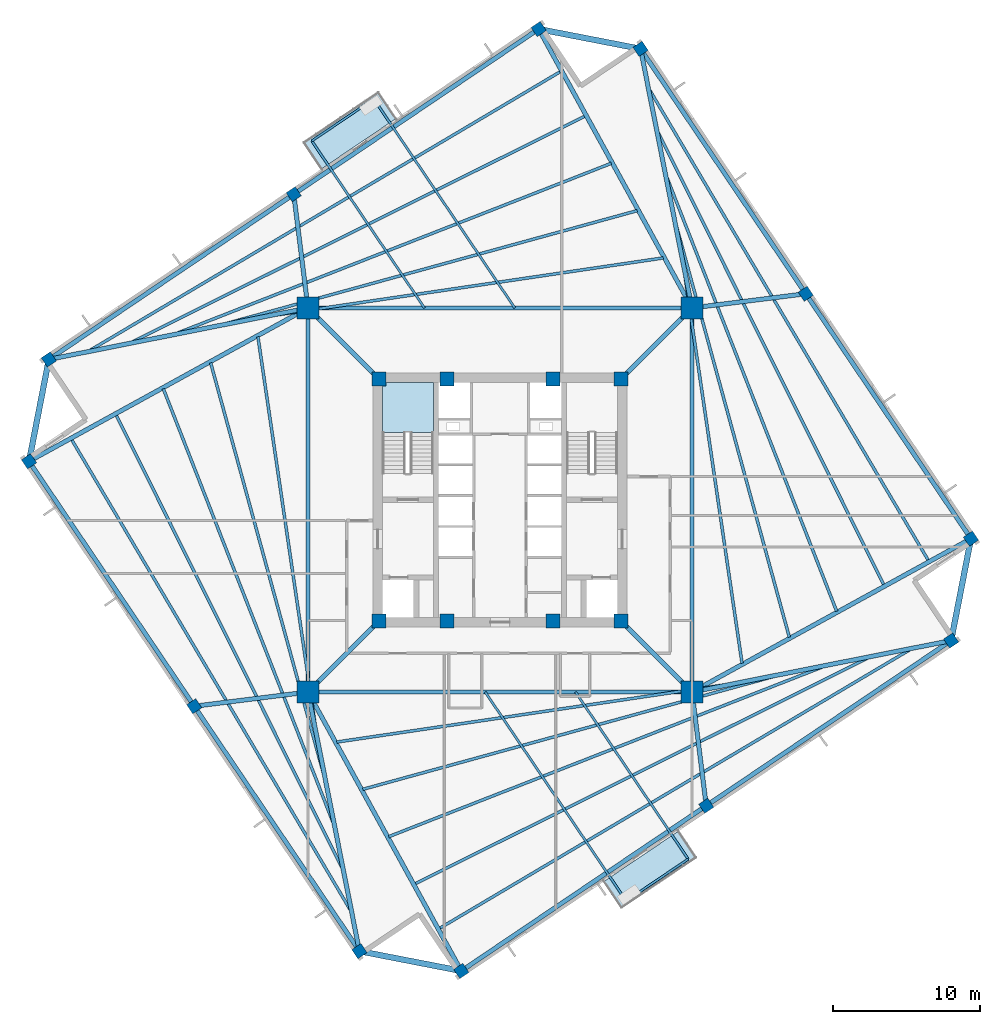
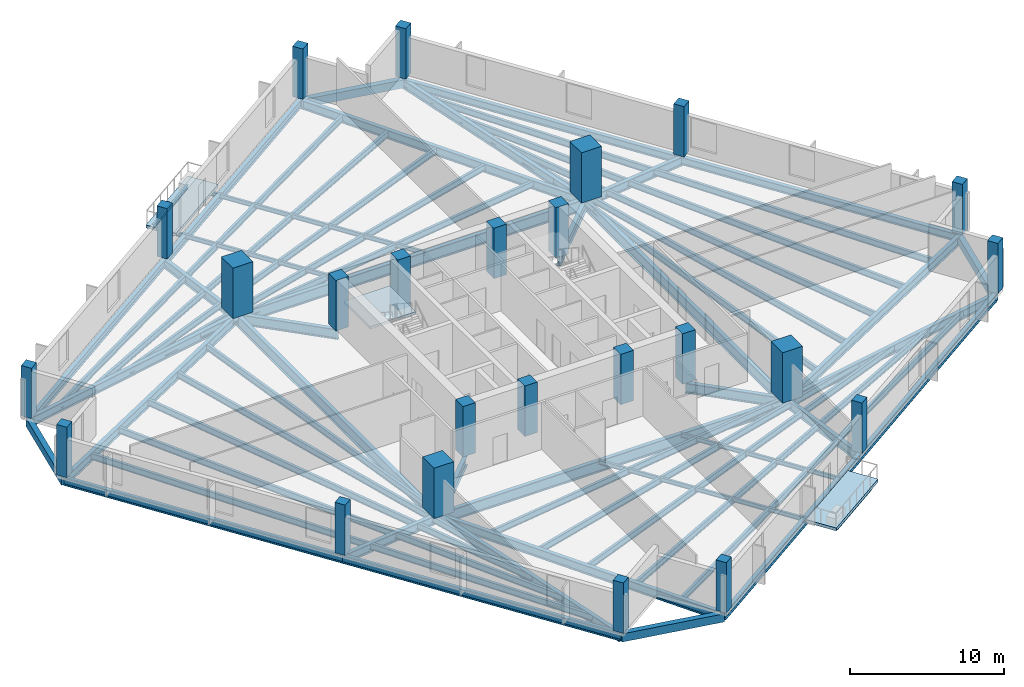
# One storey, part 1 of 8: 58 beams, 24 columns, 3 slabs, 1 element without a shape of its own.
"""IFC4 building model written with IfcOpenShell, lengths in metres."""

from ifc_helpers import new_model, si_unit, direction, frame, origin, origin_2d, place, context, subcontext, project, spatial, polyline, rectangle, i_section, outline, extrude, source, transform, mapped, material, layer, layer_set, material_profile, profile_set, type_object, element, aggregate, save


model = new_model("IFC4")

# Units and contexts
model_context = context("Model", 3, precision=1e-05, world=origin(), true_north=direction((0.0, 1.0)))
body_context = subcontext(model_context, "Body", "Model", "MODEL_VIEW")
ifc_project = project(units=[si_unit("LENGTHUNIT", "METRE"), si_unit("AREAUNIT", "SQUARE_METRE"), si_unit("VOLUMEUNIT", "CUBIC_METRE"), si_unit("PLANEANGLEUNIT", "RADIAN"), si_unit("MASSUNIT", "GRAM", prefix="KILO"), si_unit("THERMODYNAMICTEMPERATUREUNIT", "KELVIN")], contexts=[model_context])

# Site, building, storey
site_placement = place(None, origin())
site = spatial("IfcSite", under=ifc_project, at=site_placement, CompositionType="ELEMENT")
building_placement = place(site_placement, origin())
building = spatial("IfcBuilding", under=site, at=building_placement, Name="Kosmvard Interchange Tower", CompositionType="ELEMENT")
storey_placement = place(building_placement, frame((0.0, 0.0, 176.39990234375)))
storey = spatial("IfcBuildingStorey", under=building, at=storey_placement, Name="L42", CompositionType="ELEMENT", Elevation=176.39990234375)

# Columns
ifc_material_1 = material(Name="Concrete C60/75", Category="concrete")
ifc_material_profile_1 = material_profile(ifc_material_1, rectangle(XDim=0.949951171875, YDim=0.949951171875, at=origin_2d()), Name="CP 950x950")
ifc_profile_set_1 = profile_set([ifc_material_profile_1], Name="Concrete C60/75")
column_type_1 = type_object("IfcColumnType", Name="Core Boundary Pilaster 950x950 C60/75", PredefinedType="PILASTER", material=ifc_profile_set_1)
shared_shape_1 = source(origin(), body_context, "Body", "SweptSolid", [
    extrude(rectangle(XDim=0.949951171875, YDim=0.949951171875, at=origin_2d()), origin(), (0.0, 0.0, 1.0), 4.0),
])
for number, where, z_axis, x_axis, name in (
    (1, (-8.25, -8.25, 0.0), (0.0, 0.0, 1.0), (1.0, 0.0, 0.0), "L42 Core Pilaster CP1"),
    (2, (8.25, -8.25, 0.0), (0.0, 0.0, 1.0), (1.0, 0.0, 0.0), "L42 Core Pilaster CP2"),
    (3, (8.25, 8.25, 0.0), (0.0, 0.0, 1.0), (1.0, 0.0, 0.0), "L42 Core Pilaster CP3"),
    (4, (-8.25, 8.25, 0.0), (0.0, 0.0, 1.0), (1.0, 0.0, 0.0), "L42 Core Pilaster CP4"),
    (5, (-3.60009765625, -8.25, 0.0), (0.0, 0.0, 1.0), (1.0, 0.0, 0.0), "L42 Core Pilaster CP5"),
    (6, (3.60009765625, -8.25, 0.0), (0.0, 0.0, 1.0), (1.0, 0.0, 0.0), "L42 Core Pilaster CP6"),
    (7, (-3.60009765625, 8.25, 0.0), (0.0, 0.0, 1.0), (1.0, 0.0, 0.0), "L42 Core Pilaster CP7"),
    (8, (3.60009765625, 8.25, 0.0), (0.0, 0.0, 1.0), (1.0, 0.0, 0.0), "L42 Core Pilaster CP8"),
):
    element("IfcColumn", number, at=place(storey_placement, frame(where, z_axis=z_axis, x_axis=x_axis)), inside=storey, type_object=column_type_1, Name=name, PredefinedType="PILASTER", context=body_context, shape_type="MappedRepresentation", body=[
        mapped(shared_shape_1, transform((0.0, 0.0, 0.0), scale=1.0)),
    ])
ifc_material_profile_2 = material_profile(ifc_material_1, rectangle(XDim=1.5, YDim=1.5, at=origin_2d()), Name="MC 1500x1500")
ifc_profile_set_2 = profile_set([ifc_material_profile_2], Name="Concrete C60/75")
column_type_2 = type_object("IfcColumnType", Name="Composite Mega-Column 1500x1500 C60/75", PredefinedType="COLUMN", material=ifc_profile_set_2)
shared_shape_2 = source(origin(), body_context, "Body", "SweptSolid", [
    extrude(rectangle(XDim=1.5, YDim=1.5, at=origin_2d()), origin(), (0.0, 0.0, 1.0), 4.0),
])
for number, where, z_axis, x_axis, name in (
    (9, (-13.0810546875, -13.0810546875, 0.0), (0.0, 0.0, 1.0), (1.0, 0.0, 0.0), "L42 Corner Mega-Column MC1"),
    (10, (13.0810546875, -13.0810546875, 0.0), (0.0, 0.0, 1.0), (1.0, 0.0, 0.0), "L42 Corner Mega-Column MC2"),
    (11, (13.0810546875, 13.0810546875, 0.0), (0.0, 0.0, 1.0), (1.0, 0.0, 0.0), "L42 Corner Mega-Column MC3"),
    (12, (-13.0810546875, 13.0810546875, 0.0), (0.0, 0.0, 1.0), (1.0, 0.0, 0.0), "L42 Corner Mega-Column MC4"),
):
    element("IfcColumn", number, at=place(storey_placement, frame(where, z_axis=z_axis, x_axis=x_axis)), inside=storey, type_object=column_type_2, Name=name, PredefinedType="COLUMN", context=body_context, shape_type="MappedRepresentation", body=[
        mapped(shared_shape_2, transform((0.0, 0.0, 0.0), scale=1.0)),
    ])
ifc_material_2 = material(Name="Concrete C50/60", Category="concrete")
ifc_material_profile_3 = material_profile(ifc_material_2, rectangle(XDim=0.75, YDim=0.75, at=origin_2d()), Name="TC 750x750")
ifc_profile_set_3 = profile_set([ifc_material_profile_3], Name="Concrete C50/60")
column_type_3 = type_object("IfcColumnType", Name="Zone 3 Perimeter Pier Column 750x750 C50/60", PredefinedType="COLUMN", material=ifc_profile_set_3)
shared_shape_3 = source(origin(), body_context, "Body", "SweptSolid", [
    extrude(rectangle(XDim=0.75, YDim=0.75, at=origin_2d()), origin(), (0.0, 0.0, 1.0), 4.0),
])
for number, where, z_axis, x_axis, name in (
    (13, (-2.634765625, -32.083251953125, 0.0), (0.0, 0.0, 1.0), (0.829037572555, 0.559192903471, 0.0), "L42 Perimeter Pier Column TC-S1"),
    (14, (14.0498046875, -20.82958984375, 0.0), (0.0, 0.0, 1.0), (0.829037572555, 0.559192903471, 0.0), "L42 Perimeter Pier Column TC-S2"),
    (15, (30.734130859375, -9.575927734375, 0.0), (0.0, 0.0, 1.0), (0.829037572555, 0.559192903471, 0.0), "L42 Perimeter Pier Column TC-S3"),
    (16, (32.083251953125, -2.634765625, 0.0), (0.0, 0.0, 1.0), (0.829037572555, 0.559192903471, 0.0), "L42 Perimeter Pier Column TC-E1"),
    (17, (20.82958984375, 14.0498046875, 0.0), (0.0, 0.0, 1.0), (0.829037572555, 0.559192903471, 0.0), "L42 Perimeter Pier Column TC-E2"),
    (18, (9.575927734375, 30.734130859375, 0.0), (0.0, 0.0, 1.0), (0.829037572555, 0.559192903471, 0.0), "L42 Perimeter Pier Column TC-E3"),
    (19, (2.634765625, 32.083251953125, 0.0), (0.0, 0.0, 1.0), (0.829037572555, 0.559192903471, 0.0), "L42 Perimeter Pier Column TC-N1"),
    (20, (-14.0498046875, 20.82958984375, 0.0), (0.0, 0.0, 1.0), (0.829037572555, 0.559192903471, 0.0), "L42 Perimeter Pier Column TC-N2"),
    (21, (-30.734130859375, 9.575927734375, 0.0), (0.0, 0.0, 1.0), (0.829037572555, 0.559192903471, 0.0), "L42 Perimeter Pier Column TC-N3"),
    (22, (-32.083251953125, 2.634765625, 0.0), (0.0, 0.0, 1.0), (0.829037572555, 0.559192903471, 0.0), "L42 Perimeter Pier Column TC-W1"),
    (23, (-20.82958984375, -14.0498046875, 0.0), (0.0, 0.0, 1.0), (0.829037572555, 0.559192903471, 0.0), "L42 Perimeter Pier Column TC-W2"),
    (24, (-9.575927734375, -30.734130859375, 0.0), (0.0, 0.0, 1.0), (0.829037572555, 0.559192903471, 0.0), "L42 Perimeter Pier Column TC-W3"),
):
    element("IfcColumn", number, at=place(storey_placement, frame(where, z_axis=z_axis, x_axis=x_axis)), inside=storey, type_object=column_type_3, Name=name, PredefinedType="COLUMN", context=body_context, shape_type="MappedRepresentation", body=[
        mapped(shared_shape_3, transform((0.0, 0.0, 0.0), scale=1.0)),
    ])

# Beams
ifc_material_3 = material(Name="Steel S355", Category="steel")
ifc_material_profile_4 = material_profile(ifc_material_3, i_section(OverallWidth=0.14990234375, OverallDepth=0.300048828125, WebThickness=0.007080078125, FlangeThickness=0.0107421875, FilletRadius=0.014892578125, at=origin_2d()), Name="IPE 300")
ifc_profile_set_4 = profile_set([ifc_material_profile_4], Name="Steel S355")
beam_type_1 = type_object("IfcBeamType", Name="Balcony Edge Header Joist IPE 300 S355", PredefinedType="JOIST", material=ifc_profile_set_4)
shared_shape_4 = source(origin(), body_context, "Body", "SweptSolid", [
    extrude(i_section(OverallWidth=0.14990234375, OverallDepth=0.300048828125, WebThickness=0.007080078125, FlangeThickness=0.0107421875, FilletRadius=0.014892578125, at=origin_2d()), origin(), (0.0, 0.0, 1.0), 5.099853515625),
])
for number, where, z_axis, x_axis, name in (
    (25, (-8.59326171875, 27.314453125, -0.409912109375), (-0.82904064614, -0.559188346666, 0.0), (0.559188346666, -0.82904064614, 0.0), "BM-L42-BJH1"),
    (26, (8.59326171875, -27.314453125, -0.409912109375), (0.82904064614, 0.559188346666, 0.0), (-0.559188346666, 0.82904064614, 0.0), "BM-L42-BJH2"),
):
    element("IfcBeam", number, at=place(storey_placement, frame(where, z_axis=z_axis, x_axis=x_axis)), inside=storey, type_object=beam_type_1, Name=name, PredefinedType="JOIST", context=body_context, shape_type="MappedRepresentation", body=[
        mapped(shared_shape_4, transform((0.0, 0.0, 0.0), scale=1.0)),
    ])
ifc_material_profile_5 = material_profile(ifc_material_3, i_section(OverallWidth=0.300048828125, OverallDepth=0.800048828125, WebThickness=0.017578125, FlangeThickness=0.032958984375, FilletRadius=0.027099609375, at=origin_2d()), Name="HEB 800")
ifc_profile_set_5 = profile_set([ifc_material_profile_5], Name="Steel S355")
beam_type_2 = type_object("IfcBeamType", Name="Primary Mega-Frame Girder HEB 800 S355", PredefinedType="BEAM", material=ifc_profile_set_5)
shared_shape_5 = source(origin(), body_context, "Body", "SweptSolid", [
    extrude(i_section(OverallWidth=0.300048828125, OverallDepth=0.800048828125, WebThickness=0.017578125, FlangeThickness=0.032958984375, FilletRadius=0.027099609375, at=origin_2d()), origin(), (0.0, 0.0, 1.0), 6.83203125),
])
for number, where, z_axis, x_axis, name in (
    (27, (-8.25, -8.25, -0.659912109375), (-0.707106781187, -0.707106781187, 0.0), (0.707106781187, -0.707106781187, 0.0), "L42 Radial Mega-Frame Girder 1"),
    (28, (8.25, -8.25, -0.659912109375), (0.707106781187, -0.707106781187, 0.0), (0.707106781187, 0.707106781187, 0.0), "L42 Radial Mega-Frame Girder 2"),
    (29, (8.25, 8.25, -0.659912109375), (0.707106781187, 0.707106781187, 0.0), (-0.707106781187, 0.707106781187, 0.0), "L42 Radial Mega-Frame Girder 3"),
    (30, (-8.25, 8.25, -0.659912109375), (-0.707106781187, 0.707106781187, 0.0), (-0.707106781187, -0.707106781187, 0.0), "L42 Radial Mega-Frame Girder 4"),
):
    element("IfcBeam", number, at=place(storey_placement, frame(where, z_axis=z_axis, x_axis=x_axis)), inside=storey, type_object=beam_type_2, Name=name, PredefinedType="BEAM", context=body_context, shape_type="MappedRepresentation", body=[
        mapped(shared_shape_5, transform((0.0, 0.0, 0.0), scale=1.0)),
    ])
ifc_material_profile_6 = material_profile(ifc_material_3, i_section(OverallWidth=0.300048828125, OverallDepth=0.89990234375, WebThickness=0.0185546875, FlangeThickness=0.034912109375, FilletRadius=0.030029296875, at=origin_2d()), Name="HEB 900")
ifc_profile_set_6 = profile_set([ifc_material_profile_6], Name="Steel S355")
beam_type_3 = type_object("IfcBeamType", Name="Mega-Column Ring Girder HEB 900 S355", PredefinedType="BEAM", material=ifc_profile_set_6)
shared_shape_6 = source(origin(), body_context, "Body", "SweptSolid", [
    extrude(i_section(OverallWidth=0.300048828125, OverallDepth=0.89990234375, WebThickness=0.0185546875, FlangeThickness=0.034912109375, FilletRadius=0.030029296875, at=origin_2d()), origin(), (0.0, 0.0, 1.0), 26.162109375),
])
for number, where, z_axis, x_axis, name in (
    (31, (-13.0810546875, -13.0810546875, -0.7099609375), (1.0, 0.0, 0.0), (0.0, 1.0, 0.0), "L42 Mega-Column Ring Girder 1"),
    (32, (13.0810546875, -13.0810546875, -0.7099609375), (0.0, 1.0, 0.0), (-1.0, 0.0, 0.0), "L42 Mega-Column Ring Girder 2"),
    (33, (13.0810546875, 13.0810546875, -0.7099609375), (-1.0, 0.0, 0.0), (0.0, -1.0, 0.0), "L42 Mega-Column Ring Girder 3"),
    (34, (-13.0810546875, 13.0810546875, -0.7099609375), (0.0, -1.0, 0.0), (1.0, 0.0, 0.0), "L42 Mega-Column Ring Girder 4"),
):
    element("IfcBeam", number, at=place(storey_placement, frame(where, z_axis=z_axis, x_axis=x_axis)), inside=storey, type_object=beam_type_3, Name=name, PredefinedType="BEAM", context=body_context, shape_type="MappedRepresentation", body=[
        mapped(shared_shape_6, transform((0.0, 0.0, 0.0), scale=1.0)),
    ])
ifc_material_profile_7 = material_profile(ifc_material_3, i_section(OverallWidth=0.300048828125, OverallDepth=0.60009765625, WebThickness=0.015380859375, FlangeThickness=0.030029296875, FilletRadius=0.027099609375, at=origin_2d()), Name="HEB 600")
ifc_profile_set_7 = profile_set([ifc_material_profile_7], Name="Steel S355")
beam_type_4 = type_object("IfcBeamType", Name="Perimeter Tie Girder HEB 600 S355", PredefinedType="BEAM", material=ifc_profile_set_7)
shared_shape_7 = source(origin(), body_context, "Body", "SweptSolid", [
    extrude(i_section(OverallWidth=0.300048828125, OverallDepth=0.60009765625, WebThickness=0.015380859375, FlangeThickness=0.030029296875, FilletRadius=0.027099609375, at=origin_2d()), origin(), (0.0, 0.0, 1.0), 20.125),
])
for number, where, z_axis, x_axis, name in (
    (35, (-2.634765625, -32.083251953125, -0.559814453125), (0.82904270175, 0.559185299051, 0.0), (-0.559185299051, 0.82904270175, 0.0), "BM-L42-PR01"),
    (36, (14.0498046875, -20.82958984375, -0.559814453125), (0.829038908426, 0.559190922956, 0.0), (-0.559190922956, 0.829038908426, 0.0), "BM-L42-PR02"),
    (37, (32.083251953125, -2.634765625, -0.559814453125), (-0.559185299051, 0.82904270175, 0.0), (-0.82904270175, -0.559185299051, 0.0), "BM-L42-PR04"),
    (38, (20.82958984375, 14.0498046875, -0.559814453125), (-0.559190922956, 0.829038908426, 0.0), (-0.829038908426, -0.559190922956, 0.0), "BM-L42-PR05"),
    (39, (2.634765625, 32.083251953125, -0.559814453125), (-0.82904270175, -0.559185299051, 0.0), (0.559185299051, -0.82904270175, 0.0), "BM-L42-PR07"),
    (40, (-14.0498046875, 20.82958984375, -0.559814453125), (-0.829038908426, -0.559190922956, 0.0), (0.559190922956, -0.829038908426, 0.0), "BM-L42-PR08"),
    (41, (-32.083251953125, 2.634765625, -0.559814453125), (0.559185299051, -0.82904270175, 0.0), (0.82904270175, 0.559185299051, 0.0), "BM-L42-PR10"),
    (42, (-20.82958984375, -14.0498046875, -0.559814453125), (0.559190922956, -0.829038908426, 0.0), (0.829038908426, 0.559190922956, 0.0), "BM-L42-PR11"),
):
    element("IfcBeam", number, at=place(storey_placement, frame(where, z_axis=z_axis, x_axis=x_axis)), inside=storey, type_object=beam_type_4, Name=name, PredefinedType="BEAM", context=body_context, shape_type="MappedRepresentation", body=[
        mapped(shared_shape_7, transform((0.0, 0.0, 0.0), scale=1.0)),
    ])
ifc_material_profile_8 = material_profile(ifc_material_3, i_section(OverallWidth=0.300048828125, OverallDepth=0.699951171875, WebThickness=0.01708984375, FlangeThickness=0.031982421875, FilletRadius=0.027099609375, at=origin_2d()), Name="HEB 700")
ifc_profile_set_8 = profile_set([ifc_material_profile_8], Name="Steel S355")
beam_type_5 = type_object("IfcBeamType", Name="Primary Floor Girder HEB 700 S355", PredefinedType="BEAM", material=ifc_profile_set_8)
shared_shape_8 = source(origin(), body_context, "Body", "SweptSolid", [
    extrude(i_section(OverallWidth=0.300048828125, OverallDepth=0.699951171875, WebThickness=0.01708984375, FlangeThickness=0.031982421875, FilletRadius=0.027099609375, at=origin_2d()), origin(), (0.0, 0.0, 1.0), 21.684326171875),
])
for number, where, z_axis, x_axis, name in (
    (43, (-13.0810546875, -13.0810546875, -0.60986328125), (0.48174456271, -0.876311689012, 0.0), (0.876311689012, 0.48174456271, 0.0), "BM-L42-RD01"),
    (44, (13.0810546875, -13.0810546875, -0.60986328125), (0.876311689012, 0.48174456271, 0.0), (-0.48174456271, 0.876311689012, 0.0), "BM-L42-RD04"),
    (45, (13.0810546875, 13.0810546875, -0.60986328125), (-0.48174456271, 0.876311689012, 0.0), (-0.876311689012, -0.48174456271, 0.0), "BM-L42-RD07"),
    (46, (-13.0810546875, 13.0810546875, -0.60986328125), (-0.876311689012, -0.48174456271, 0.0), (0.48174456271, -0.876311689012, 0.0), "BM-L42-RD10"),
):
    element("IfcBeam", number, at=place(storey_placement, frame(where, z_axis=z_axis, x_axis=x_axis)), inside=storey, type_object=beam_type_5, Name=name, PredefinedType="BEAM", context=body_context, shape_type="MappedRepresentation", body=[
        mapped(shared_shape_8, transform((0.0, 0.0, 0.0), scale=1.0)),
    ])
shared_shape_9 = source(origin(), body_context, "Body", "SweptSolid", [
    extrude(i_section(OverallWidth=0.300048828125, OverallDepth=0.699951171875, WebThickness=0.01708984375, FlangeThickness=0.031982421875, FilletRadius=0.027099609375, at=origin_2d()), origin(), (0.0, 0.0, 1.0), 7.808837890625),
])
for number, where, z_axis, x_axis, name in (
    (47, (13.0810546875, -13.0810546875, -0.60986328125), (0.12405782224, -0.992274990485, 0.0), (0.992274990485, 0.12405782224, 0.0), "BM-L42-RD02"),
    (48, (13.0810546875, 13.0810546875, -0.60986328125), (0.992274990485, 0.12405782224, 0.0), (-0.12405782224, 0.992274990485, 0.0), "BM-L42-RD05"),
    (49, (-13.0810546875, 13.0810546875, -0.60986328125), (-0.12405782224, 0.992274990485, 0.0), (-0.992274990485, -0.12405782224, 0.0), "BM-L42-RD08"),
    (50, (-13.0810546875, -13.0810546875, -0.60986328125), (-0.992274990485, -0.12405782224, 0.0), (0.12405782224, -0.992274990485, 0.0), "BM-L42-RD11"),
):
    element("IfcBeam", number, at=place(storey_placement, frame(where, z_axis=z_axis, x_axis=x_axis)), inside=storey, type_object=beam_type_5, Name=name, PredefinedType="BEAM", context=body_context, shape_type="MappedRepresentation", body=[
        mapped(shared_shape_9, transform((0.0, 0.0, 0.0), scale=1.0)),
    ])
ifc_material_4 = material(Name="Precast concrete C45/55", Category="concrete")
ifc_material_profile_9 = material_profile(ifc_material_4, rectangle(XDim=0.39990234375, YDim=0.64990234375, at=origin_2d()), Name="SL 400x650")
ifc_profile_set_9 = profile_set([ifc_material_profile_9], Name="Precast concrete C45/55")
beam_type_6 = type_object("IfcBeamType", Name="Precast Spandrel Lintel 400x650 C45/55", PredefinedType="LINTEL", material=ifc_profile_set_9)
shared_shape_10 = source(origin(), body_context, "Body", "SweptSolid", [
    extrude(rectangle(XDim=0.39990234375, YDim=0.64990234375, at=origin_2d()), origin(), (0.0, 0.0, 1.0), 7.071044921875),
])
for number, where, z_axis, x_axis, name in (
    (51, (30.734130859375, -9.575927734375, -0.5849609375), (0.190794803533, 0.981629941956, 0.0), (-0.981629941956, 0.190794803533, 0.0), "BM-L42-SL1"),
    (52, (9.575927734375, 30.734130859375, -0.5849609375), (-0.981629941956, 0.190794803533, 0.0), (-0.190794803533, -0.981629941956, 0.0), "BM-L42-SL2"),
    (53, (-30.734130859375, 9.575927734375, -0.5849609375), (-0.190794803533, -0.981629941956, 0.0), (0.981629941956, -0.190794803533, 0.0), "BM-L42-SL3"),
    (54, (-9.575927734375, -30.734130859375, -0.5849609375), (0.981629941956, -0.190794803533, 0.0), (0.190794803533, 0.981629941956, 0.0), "BM-L42-SL4"),
):
    element("IfcBeam", number, at=place(storey_placement, frame(where, z_axis=z_axis, x_axis=x_axis)), inside=storey, type_object=beam_type_6, Name=name, PredefinedType="LINTEL", context=body_context, shape_type="MappedRepresentation", body=[
        mapped(shared_shape_10, transform((0.0, 0.0, 0.0), scale=1.0)),
    ])
shared_shape_11 = source(origin(), body_context, "Body", "SweptSolid", [
    extrude(i_section(OverallWidth=0.300048828125, OverallDepth=0.699951171875, WebThickness=0.01708984375, FlangeThickness=0.031982421875, FilletRadius=0.027099609375, at=origin_2d()), origin(), (0.0, 0.0, 1.0), 17.997802734375),
])
for number, where, z_axis, x_axis, name in (
    (55, (13.0810546875, -13.0810546875, -0.60986328125), (0.980852075755, 0.194754218148, 0.0), (-0.194754218148, 0.980852075755, 0.0), "BM-L42-RD03"),
    (56, (13.0810546875, 13.0810546875, -0.60986328125), (-0.194754218148, 0.980852075755, 0.0), (-0.980852075755, -0.194754218148, 0.0), "BM-L42-RD06"),
    (57, (-13.0810546875, 13.0810546875, -0.60986328125), (-0.980852075755, -0.194754218148, 0.0), (0.194754218148, -0.980852075755, 0.0), "BM-L42-RD09"),
    (58, (-13.0810546875, -13.0810546875, -0.60986328125), (0.194754218148, -0.980852075755, 0.0), (0.980852075755, 0.194754218148, 0.0), "BM-L42-RD12"),
):
    element("IfcBeam", number, at=place(storey_placement, frame(where, z_axis=z_axis, x_axis=x_axis)), inside=storey, type_object=beam_type_5, Name=name, PredefinedType="BEAM", context=body_context, shape_type="MappedRepresentation", body=[
        mapped(shared_shape_11, transform((0.0, 0.0, 0.0), scale=1.0)),
    ])
ifc_material_profile_10 = material_profile(ifc_material_3, i_section(OverallWidth=0.199951171875, OverallDepth=0.5, WebThickness=0.01025390625, FlangeThickness=0.01611328125, FilletRadius=0.02099609375, at=origin_2d()), Name="IPE 500")
ifc_profile_set_10 = profile_set([ifc_material_profile_10], Name="Steel S355")
beam_type_7 = type_object("IfcBeamType", Name="Standard Floor Joist IPE 500 S355", PredefinedType="JOIST", material=ifc_profile_set_10)
shared_shape_12 = source(origin(), body_context, "Body", "SweptSolid", [
    extrude(i_section(OverallWidth=0.199951171875, OverallDepth=0.5, WebThickness=0.01025390625, FlangeThickness=0.01611328125, FilletRadius=0.02099609375, at=origin_2d()), origin(), (0.0, 0.0, 1.0), 27.5966796875),
])
for number, where, z_axis, x_axis, name in (
    (59, (-11.12158203125, -16.48974609375, -0.510009765625), (0.989290070387, 0.145962860463, 0.0), (-0.145962860463, 0.989290070387, 0.0), "BM-L42-FJ01"),
    (60, (16.48974609375, -11.12158203125, -0.510009765625), (-0.145962860463, 0.989290070387, 0.0), (-0.989290070387, -0.145962860463, 0.0), "BM-L42-FJ06"),
    (61, (11.12158203125, 16.48974609375, -0.510009765625), (-0.989290070387, -0.145962860463, 0.0), (0.145962860463, -0.989290070387, 0.0), "BM-L42-FJ11"),
    (62, (-16.48974609375, 11.12158203125, -0.510009765625), (0.145962860463, -0.989290070387, 0.0), (0.989290070387, 0.145962860463, 0.0), "BM-L42-FJ16"),
):
    element("IfcBeam", number, at=place(storey_placement, frame(where, z_axis=z_axis, x_axis=x_axis)), inside=storey, type_object=beam_type_7, Name=name, PredefinedType="JOIST", context=body_context, shape_type="MappedRepresentation", body=[
        mapped(shared_shape_12, transform((0.0, 0.0, 0.0), scale=1.0)),
    ])
shared_shape_13 = source(origin(), body_context, "Body", "SweptSolid", [
    extrude(i_section(OverallWidth=0.199951171875, OverallDepth=0.5, WebThickness=0.01025390625, FlangeThickness=0.01611328125, FilletRadius=0.02099609375, at=origin_2d()), origin(), (0.0, 0.0, 1.0), 29.58642578125),
])
for number, where, z_axis, x_axis, name in (
    (63, (-9.34765625, -19.710693359375, -0.510009765625), (0.964296527467, 0.264824861209, 0.0), (-0.264824861209, 0.964296527467, 0.0), "BM-L42-FJ02"),
    (64, (19.710693359375, -9.34765625, -0.510009765625), (-0.264824861209, 0.964296527467, 0.0), (-0.964296527467, -0.264824861209, 0.0), "BM-L42-FJ07"),
    (65, (9.34765625, 19.710693359375, -0.510009765625), (-0.964296527467, -0.264824861209, 0.0), (0.264824861209, -0.964296527467, 0.0), "BM-L42-FJ12"),
    (66, (-19.710693359375, 9.34765625, -0.510009765625), (0.264824861209, -0.964296527467, 0.0), (0.964296527467, 0.264824861209, 0.0), "BM-L42-FJ17"),
):
    element("IfcBeam", number, at=place(storey_placement, frame(where, z_axis=z_axis, x_axis=x_axis)), inside=storey, type_object=beam_type_7, Name=name, PredefinedType="JOIST", context=body_context, shape_type="MappedRepresentation", body=[
        mapped(shared_shape_13, transform((0.0, 0.0, 0.0), scale=1.0)),
    ])
shared_shape_14 = source(origin(), body_context, "Body", "SweptSolid", [
    extrude(i_section(OverallWidth=0.199951171875, OverallDepth=0.5, WebThickness=0.01025390625, FlangeThickness=0.01611328125, FilletRadius=0.02099609375, at=origin_2d()), origin(), (0.0, 0.0, 1.0), 31.9580078125),
])
for number, where, z_axis, x_axis, name in (
    (67, (-7.574462890625, -22.93310546875, -0.510009765625), (0.931239172846, 0.364408565976, 0.0), (-0.364408565976, 0.931239172846, 0.0), "BM-L42-FJ03"),
    (68, (22.93310546875, -7.574462890625, -0.510009765625), (-0.364408565976, 0.931239172846, 0.0), (-0.931239172846, -0.364408565976, 0.0), "BM-L42-FJ08"),
    (69, (7.574462890625, 22.93310546875, -0.510009765625), (-0.931239172846, -0.364408565976, 0.0), (0.364408565976, -0.931239172846, 0.0), "BM-L42-FJ13"),
    (70, (-22.93310546875, 7.574462890625, -0.510009765625), (0.364408565976, -0.931239172846, 0.0), (0.931239172846, 0.364408565976, 0.0), "BM-L42-FJ18"),
):
    element("IfcBeam", number, at=place(storey_placement, frame(where, z_axis=z_axis, x_axis=x_axis)), inside=storey, type_object=beam_type_7, Name=name, PredefinedType="JOIST", context=body_context, shape_type="MappedRepresentation", body=[
        mapped(shared_shape_14, transform((0.0, 0.0, 0.0), scale=1.0)),
    ])
shared_shape_15 = source(origin(), body_context, "Body", "SweptSolid", [
    extrude(i_section(OverallWidth=0.199951171875, OverallDepth=0.5, WebThickness=0.01025390625, FlangeThickness=0.01611328125, FilletRadius=0.02099609375, at=origin_2d()), origin(), (0.0, 0.0, 1.0), 34.633056640625),
])
for number, where, z_axis, x_axis, name in (
    (71, (-5.801513671875, -26.156982421875, -0.510009765625), (0.894853974707, 0.446359007921, 0.0), (-0.446359007921, 0.894853974707, 0.0), "BM-L42-FJ04"),
    (72, (26.156982421875, -5.801513671875, -0.510009765625), (-0.446359007921, 0.894853974707, 0.0), (-0.894853974707, -0.446359007921, 0.0), "BM-L42-FJ09"),
    (73, (5.801513671875, 26.156982421875, -0.510009765625), (-0.894853974707, -0.446359007921, 0.0), (0.446359007921, -0.894853974707, 0.0), "BM-L42-FJ14"),
    (74, (-26.156982421875, 5.801513671875, -0.510009765625), (0.446359007921, -0.894853974707, 0.0), (0.894853974707, 0.446359007921, 0.0), "BM-L42-FJ19"),
):
    element("IfcBeam", number, at=place(storey_placement, frame(where, z_axis=z_axis, x_axis=x_axis)), inside=storey, type_object=beam_type_7, Name=name, PredefinedType="JOIST", context=body_context, shape_type="MappedRepresentation", body=[
        mapped(shared_shape_15, transform((0.0, 0.0, 0.0), scale=1.0)),
    ])
shared_shape_16 = source(origin(), body_context, "Body", "SweptSolid", [
    extrude(i_section(OverallWidth=0.199951171875, OverallDepth=0.5, WebThickness=0.01025390625, FlangeThickness=0.01611328125, FilletRadius=0.02099609375, at=origin_2d()), origin(), (0.0, 0.0, 1.0), 37.3701171875),
])
for number, where, z_axis, x_axis, name in (
    (75, (-4.1328125, -29.192138671875, -0.510009765625), (0.860316577026, 0.509760127212, 0.0), (-0.509760127212, 0.860316577026, 0.0), "BM-L42-FJ05"),
    (76, (29.192138671875, -4.1328125, -0.510009765625), (-0.509760127212, 0.860316577026, 0.0), (-0.860316577026, -0.509760127212, 0.0), "BM-L42-FJ10"),
    (77, (4.1328125, 29.192138671875, -0.510009765625), (-0.860316577026, -0.509760127212, 0.0), (0.509760127212, -0.860316577026, 0.0), "BM-L42-FJ15"),
    (78, (-29.192138671875, 4.1328125, -0.510009765625), (0.509760127212, -0.860316577026, 0.0), (0.860316577026, 0.509760127212, 0.0), "BM-L42-FJ20"),
):
    element("IfcBeam", number, at=place(storey_placement, frame(where, z_axis=z_axis, x_axis=x_axis)), inside=storey, type_object=beam_type_7, Name=name, PredefinedType="JOIST", context=body_context, shape_type="MappedRepresentation", body=[
        mapped(shared_shape_16, transform((0.0, 0.0, 0.0), scale=1.0)),
    ])
ifc_material_profile_11 = material_profile(ifc_material_3, i_section(OverallWidth=0.159912109375, OverallDepth=0.330078125, WebThickness=0.007568359375, FlangeThickness=0.011474609375, FilletRadius=0.01806640625, at=origin_2d()), Name="IPE 330")
ifc_profile_set_11 = profile_set([ifc_material_profile_11], Name="Steel S355")
beam_type_8 = type_object("IfcBeamType", Name="Balcony Cantilever Joist IPE 330 S355", PredefinedType="JOIST", material=ifc_profile_set_11)
shared_shape_17 = source(origin(), body_context, "Body", "SweptSolid", [
    extrude(i_section(OverallWidth=0.159912109375, OverallDepth=0.330078125, WebThickness=0.007568359375, FlangeThickness=0.011474609375, FilletRadius=0.01806640625, at=origin_2d()), origin(), (0.0, 0.0, 1.0), 17.168701171875),
])
for number, where, z_axis, x_axis, name in (
    (79, (1.00732421875, 13.0810546875, -0.4248046875), (-0.559194403402, 0.829036560837, 0.0), (-0.829036560837, -0.559194403402, 0.0), "BM-L42-BJ1"),
    (80, (-1.00732421875, -13.0810546875, -0.4248046875), (0.559194403402, -0.829036560837, 0.0), (0.829036560837, 0.559194403402, 0.0), "BM-L42-BJ2"),
):
    element("IfcBeam", number, at=place(storey_placement, frame(where, z_axis=z_axis, x_axis=x_axis)), inside=storey, type_object=beam_type_8, Name=name, PredefinedType="JOIST", context=body_context, shape_type="MappedRepresentation", body=[
        mapped(shared_shape_17, transform((0.0, 0.0, 0.0), scale=1.0)),
    ])
shared_shape_18 = source(origin(), body_context, "Body", "SweptSolid", [
    extrude(i_section(OverallWidth=0.159912109375, OverallDepth=0.330078125, WebThickness=0.007568359375, FlangeThickness=0.011474609375, FilletRadius=0.01806640625, at=origin_2d()), origin(), (0.0, 0.0, 1.0), 13.728759765625),
])
for number, where, z_axis, x_axis, name in (
    (81, (-5.144287109375, 13.0810546875, -0.4248046875), (-0.559193972367, 0.829036851575, 0.0), (-0.829036851575, -0.559193972367, 0.0), "BM-L42-BJB1"),
    (82, (5.144287109375, -13.0810546875, -0.4248046875), (0.559193972367, -0.829036851575, 0.0), (0.829036851575, 0.559193972367, 0.0), "BM-L42-BJB2"),
):
    element("IfcBeam", number, at=place(storey_placement, frame(where, z_axis=z_axis, x_axis=x_axis)), inside=storey, type_object=beam_type_8, Name=name, PredefinedType="JOIST", context=body_context, shape_type="MappedRepresentation", body=[
        mapped(shared_shape_18, transform((0.0, 0.0, 0.0), scale=1.0)),
    ])

# Stair, slab
stair_type = type_object("IfcStairType", Name="Dog-Leg Core Exit Stair H4000 C50/60", PredefinedType="HALF_TURN_STAIR", material=ifc_material_2)
stair_placement = place(storey_placement, origin())
stair = element("IfcStair", 83, at=stair_placement, inside=storey, type_object=stair_type, Name="L42 Protected Exit Stair ST-1", PredefinedType="HALF_TURN_STAIR")
ifc_layer_1 = layer(ifc_material_2, 0.199951171875, Name="Concrete C50/60")
ifc_layer_set_1 = layer_set([ifc_layer_1], Name="Concrete C50/60")
slab_type_1 = type_object("IfcSlabType", Name="Stair Half-Landing Slab 200 C50/60", PredefinedType="LANDING", material=ifc_layer_set_1)
slab_1_placement = place(storey_placement, frame((0.0, 0.0, 1.800048828125)))
slab_1 = element("IfcSlab", 84, at=slab_1_placement, type_object=slab_type_1, Name="ST-1 landing 1", PredefinedType="LANDING", context=body_context, shape_type="SweptSolid", body=[
    extrude(outline(polyline([(-4.5400390625, 4.60009765625), (-4.5400390625, 8.0), (-8.0, 8.0), (-8.0, 4.60009765625), (-4.5400390625, 4.60009765625)])), origin(), (0.0, 0.0, 1.0), 0.199951171875),
])
aggregate(stair, [slab_1])

# Slabs
ifc_layer_2 = layer(ifc_material_2, 0.22998046875, Name="Concrete C50/60")
ifc_layer_set_2 = layer_set([ifc_layer_2], Name="Concrete C50/60")
slab_type_2 = type_object("IfcSlabType", Name="Tree-Planter Cantilever Balcony Slab 230 C50/60", PredefinedType="FLOOR", material=ifc_layer_set_2)
slab_2_placement = place(storey_placement, frame((0.0, 0.0, -0.22998046875)))
element("IfcSlab", 85, at=slab_2_placement, inside=storey, type_object=slab_type_2, Name="L42 Outdoor Terrace Balcony Slab BAL-L42-N", PredefinedType="FLOOR", context=body_context, shape_type="SweptSolid", body=[
    extrude(outline(polyline([(-12.186767578125, 22.538330078125), (-7.046875, 26.00537109375), (-8.277099609375, 27.829345703125), (-13.4169921875, 24.3623046875), (-12.186767578125, 22.538330078125)])), origin(), (0.0, 0.0, 1.0), 0.22998046875),
])
slab_3_placement = place(storey_placement, frame((0.0, 0.0, -0.22998046875)))
element("IfcSlab", 86, at=slab_3_placement, inside=storey, type_object=slab_type_2, Name="L42 Outdoor Terrace Balcony Slab BAL-L42-S", PredefinedType="FLOOR", context=body_context, shape_type="SweptSolid", body=[
    extrude(outline(polyline([(8.277099609375, -27.829345703125), (13.4169921875, -24.3623046875), (12.186767578125, -22.538330078125), (7.046875, -26.00537109375), (8.277099609375, -27.829345703125)])), origin(), (0.0, 0.0, 1.0), 0.22998046875),
])

save(model, "model.ifc")
